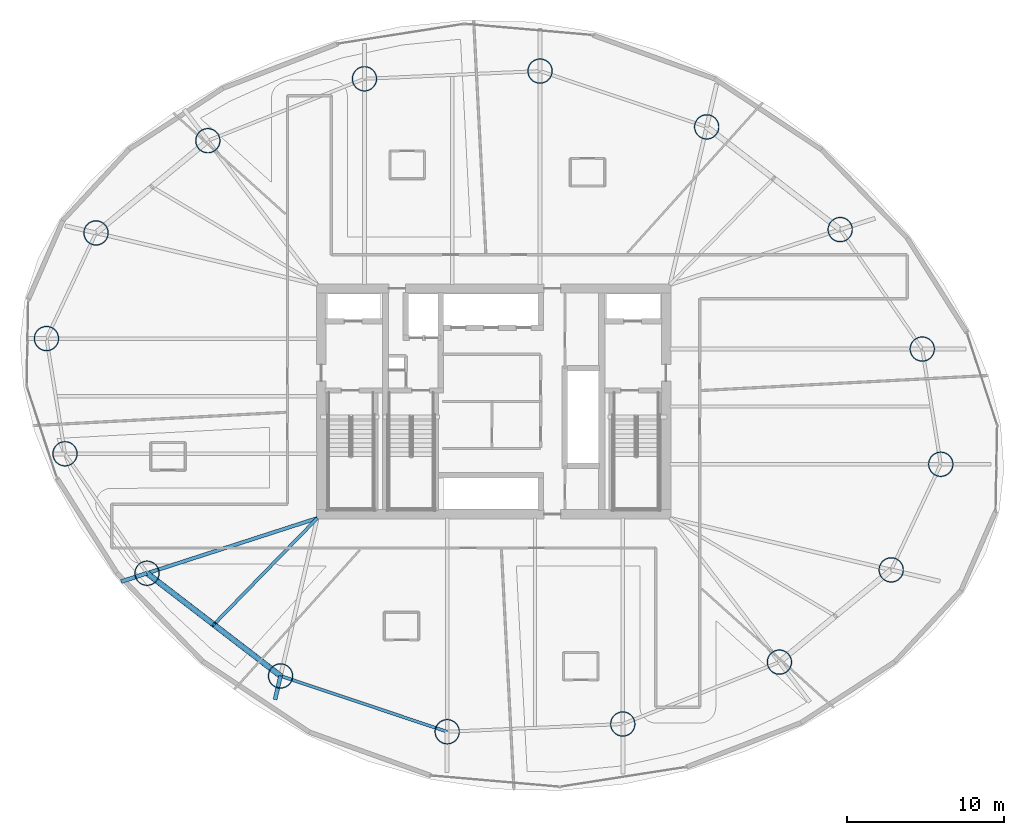
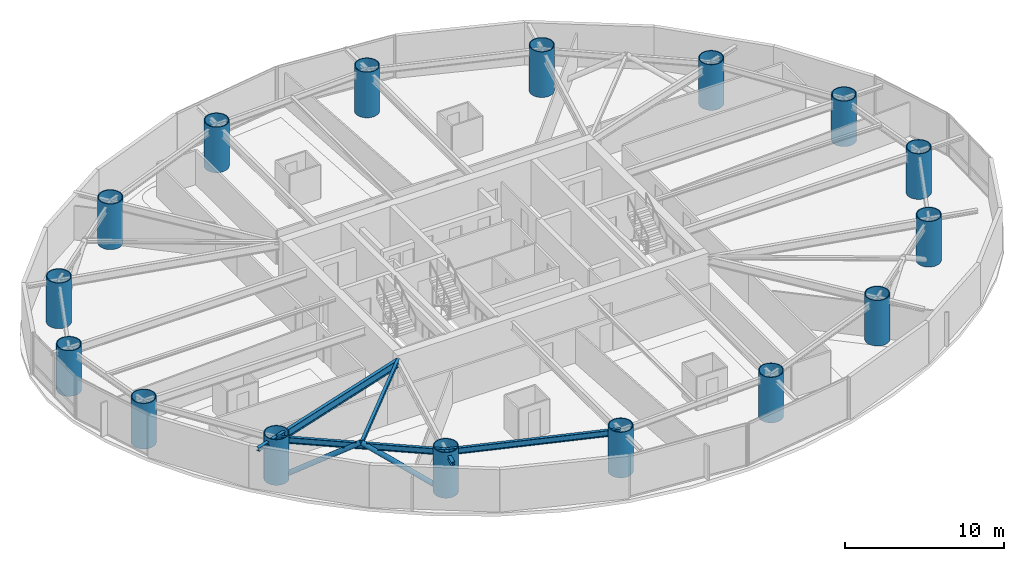
# One storey, part 1 of 24: 16 columns, 6 beams, 2 members.
"""IFC4 building model written with IfcOpenShell, lengths in metres."""

from ifc_helpers import new_model, si_unit, direction, frame, origin, origin_2d, place, context, subcontext, project, spatial, hollow_circle, i_section, extrude, material, material_profile, profile_set, type_object, element, save


model = new_model("IFC4")

# Units and contexts
model_context = context("Model", 3, precision=1e-05, world=origin(), true_north=direction((0.0, 1.0)))
body_context = subcontext(model_context, "Body", "Model", "MODEL_VIEW")
ifc_project = project(units=[si_unit("LENGTHUNIT", "METRE"), si_unit("AREAUNIT", "SQUARE_METRE"), si_unit("VOLUMEUNIT", "CUBIC_METRE"), si_unit("PLANEANGLEUNIT", "RADIAN"), si_unit("MASSUNIT", "GRAM", prefix="KILO")], contexts=[model_context])

# Site, building, storey
site_placement = place(None, origin())
site = spatial("IfcSite", under=ifc_project, at=site_placement, CompositionType="ELEMENT")
building_placement = place(site_placement, origin())
building = spatial("IfcBuilding", under=site, at=building_placement, Name="Bramvorn Convention Spire", CompositionType="ELEMENT")
storey_placement = place(building_placement, frame((0.0, 0.0, 83.39990234375)))
storey = spatial("IfcBuildingStorey", under=building, at=storey_placement, Name="L19", CompositionType="ELEMENT", Elevation=83.39990234375)

# Columns
ifc_material = material(Name="Steel CSA G40.21 Grade 350 (350W)", Category="steel")
ifc_material_profile_1 = material_profile(ifc_material, hollow_circle(Radius=0.800048828125, WallThickness=0.06005859375, at=origin_2d()))
ifc_profile_set_1 = profile_set([ifc_material_profile_1], Name="Steel CSA G40.21 Grade 350 (350W) - CFT1600X60")
column_type = type_object("IfcColumnType", Name="COL-CFT1600X60", PredefinedType="COLUMN", material=ifc_profile_set_1)
for number, where, z_axis, x_axis, name in (
    (1, (66.519775390625, 21.99169921875, 0.0), (0.0, 0.0, 1.0), (1.0, 0.0, 0.0), "L19 composite CFT mega-column MC01"),
    (2, (65.338623046875, 29.340087890625, 0.0), (0.0, 0.0, 1.0), (1.0, 0.0, 0.0), "L19 composite CFT mega-column MC02"),
    (3, (60.105224609375, 36.960205078125, 0.0), (0.0, 0.0, 1.0), (1.0, 0.0, 0.0), "L19 composite CFT mega-column MC03"),
    (4, (51.59033203125, 43.509033203125, 0.0), (0.0, 0.0, 1.0), (1.0, 0.0, 0.0), "L19 composite CFT mega-column MC04"),
    (5, (40.9609375, 47.06884765625, 0.0), (0.0, 0.0, 1.0), (1.0, 0.0, 0.0), "L19 composite CFT mega-column MC05"),
    (6, (29.76220703125, 46.57666015625, 0.0), (0.0, 0.0, 1.0), (1.0, 0.0, 0.0), "L19 composite CFT mega-column MC06"),
    (7, (19.772216796875, 42.628662109375, 0.0), (0.0, 0.0, 1.0), (1.0, 0.0, 0.0), "L19 composite CFT mega-column MC07"),
    (8, (12.64111328125, 36.746337890625, 0.0), (0.0, 0.0, 1.0), (1.0, 0.0, 0.0), "L19 composite CFT mega-column MC08"),
    (9, (9.480224609375, 30.00830078125, 0.0), (0.0, 0.0, 1.0), (1.0, 0.0, 0.0), "L19 composite CFT mega-column MC09"),
    (10, (10.661376953125, 22.659912109375, 0.0), (0.0, 0.0, 1.0), (1.0, 0.0, 0.0), "L19 composite CFT mega-column MC10"),
    (11, (15.894775390625, 15.039794921875, 0.0), (0.0, 0.0, 1.0), (1.0, 0.0, 0.0), "L19 composite CFT mega-column MC11"),
    (12, (24.40966796875, 8.490966796875, 0.0), (0.0, 0.0, 1.0), (1.0, 0.0, 0.0), "L19 composite CFT mega-column MC12"),
    (13, (35.0390625, 4.93115234375, 0.0), (0.0, 0.0, 1.0), (1.0, 0.0, 0.0), "L19 composite CFT mega-column MC13"),
    (14, (46.23779296875, 5.42333984375, 0.0), (0.0, 0.0, 1.0), (1.0, 0.0, 0.0), "L19 composite CFT mega-column MC14"),
    (15, (56.227783203125, 9.371337890625, 0.0), (0.0, 0.0, 1.0), (1.0, 0.0, 0.0), "L19 composite CFT mega-column MC15"),
    (16, (63.35888671875, 15.253662109375, 0.0), (0.0, 0.0, 1.0), (1.0, 0.0, 0.0), "L19 composite CFT mega-column MC16"),
):
    element("IfcColumn", number, at=place(storey_placement, frame(where, z_axis=z_axis, x_axis=x_axis)), inside=storey, type_object=column_type, Name=name, PredefinedType="COLUMN", context=body_context, shape_type="SweptSolid", body=[
        extrude(hollow_circle(Radius=0.800048828125, WallThickness=0.06005859375, at=origin_2d()), origin(), (0.0, 0.0, 1.0), 3.5),
    ])

# Beams
ifc_material_profile_2 = material_profile(ifc_material, i_section(OverallWidth=0.201904296875, OverallDepth=0.2470703125, WebThickness=0.00732421875, FlangeThickness=0.010986328125, FilletRadius=0.011962890625, at=origin_2d()))
ifc_profile_set_2 = profile_set([ifc_material_profile_2], Name="Steel CSA G40.21 Grade 350 (350W) - W250X49")
beam_type_1 = type_object("IfcBeamType", Name="BM-W250X49", PredefinedType="JOIST", material=ifc_profile_set_2)
beam_1_placement = place(storey_placement, frame((26.75, 18.550048828125, 3.126708984375), z_axis=(-0.697157225069, -0.716918268378, 0.0), x_axis=(0.716918268378, -0.697157225069, 0.0)))
element("IfcBeam", 17, at=beam_1_placement, inside=storey, type_object=beam_type_1, Name="L19 composite floor joist 11", PredefinedType="JOIST", context=body_context, shape_type="SweptSolid", body=[
    extrude(i_section(OverallWidth=0.201904296875, OverallDepth=0.2470703125, WebThickness=0.00732421875, FlangeThickness=0.010986328125, FilletRadius=0.011962890625, at=origin_2d()), origin(), (0.0, 0.0, 1.0), 9.463623046875),
])
ifc_material_profile_3 = material_profile(ifc_material, i_section(OverallWidth=0.25390625, OverallDepth=0.2529296875, WebThickness=0.008544921875, FlangeThickness=0.01416015625, FilletRadius=0.011962890625, at=origin_2d()))
ifc_profile_set_3 = profile_set([ifc_material_profile_3], Name="Steel CSA G40.21 Grade 350 (350W) - W250X73")
beam_type_2 = type_object("IfcBeamType", Name="BM-W250X73", PredefinedType="BEAM", material=ifc_profile_set_3)
beam_2_placement = place(storey_placement, frame((15.894775390625, 15.039794921875, 3.12353515625), z_axis=(-0.951477118356, -0.307719504168, 0.0), x_axis=(0.307719504168, -0.951477118356, 0.0)))
element("IfcBeam", 18, at=beam_2_placement, inside=storey, type_object=beam_type_2, Name="L19 slab-edge cantilever tip beam MC11", PredefinedType="BEAM", context=body_context, shape_type="SweptSolid", body=[
    extrude(i_section(OverallWidth=0.25390625, OverallDepth=0.2529296875, WebThickness=0.008544921875, FlangeThickness=0.01416015625, FilletRadius=0.011962890625, at=origin_2d()), origin(), (0.0, 0.0, 1.0), 1.741455078125),
])
beam_3_placement = place(storey_placement, frame((24.40966796875, 8.490966796875, 3.12353515625), z_axis=(-0.226576153974, -0.973993452981, 0.0), x_axis=(0.973993452981, -0.226576153974, 0.0)))
element("IfcBeam", 19, at=beam_3_placement, inside=storey, type_object=beam_type_2, Name="L19 slab-edge cantilever tip beam MC12", PredefinedType="BEAM", context=body_context, shape_type="SweptSolid", body=[
    extrude(i_section(OverallWidth=0.25390625, OverallDepth=0.2529296875, WebThickness=0.008544921875, FlangeThickness=0.01416015625, FilletRadius=0.011962890625, at=origin_2d()), origin(), (0.0, 0.0, 1.0), 1.54736328125),
])
ifc_material_profile_4 = material_profile(ifc_material, i_section(OverallWidth=0.194091796875, OverallDepth=0.468994140625, WebThickness=0.0126953125, FlangeThickness=0.0205078125, FilletRadius=0.01806640625, at=origin_2d()))
ifc_profile_set_4 = profile_set([ifc_material_profile_4], Name="Steel CSA G40.21 Grade 350 (350W) - W460X106")
beam_type_3 = type_object("IfcBeamType", Name="BM-W460X106", PredefinedType="SPANDREL", material=ifc_profile_set_4)
beam_4_placement = place(storey_placement, frame((15.894775390625, 15.039794921875, 3.015625), z_axis=(0.792672990445, -0.609647053809, 0.0), x_axis=(0.609647053809, 0.792672990445, 0.0)))
element("IfcBeam", 20, at=beam_4_placement, inside=storey, type_object=beam_type_3, Name="L19 mega-column ring beam 11", PredefinedType="SPANDREL", context=body_context, shape_type="SweptSolid", body=[
    extrude(i_section(OverallWidth=0.194091796875, OverallDepth=0.468994140625, WebThickness=0.0126953125, FlangeThickness=0.0205078125, FilletRadius=0.01806640625, at=origin_2d()), origin(), (0.0, 0.0, 1.0), 10.741943359375),
])
beam_5_placement = place(storey_placement, frame((24.40966796875, 8.490966796875, 3.015625), z_axis=(0.948235872727, -0.317566890078, 0.0), x_axis=(0.317566890078, 0.948235872727, 0.0)))
element("IfcBeam", 21, at=beam_5_placement, inside=storey, type_object=beam_type_3, Name="L19 mega-column ring beam 12", PredefinedType="SPANDREL", context=body_context, shape_type="SweptSolid", body=[
    extrude(i_section(OverallWidth=0.194091796875, OverallDepth=0.468994140625, WebThickness=0.0126953125, FlangeThickness=0.0205078125, FilletRadius=0.01806640625, at=origin_2d()), origin(), (0.0, 0.0, 1.0), 11.209716796875),
])
ifc_material_profile_5 = material_profile(ifc_material, i_section(OverallWidth=0.22998046875, OverallDepth=0.616943359375, WebThickness=0.01318359375, FlangeThickness=0.022216796875, FilletRadius=0.02001953125, at=origin_2d()))
ifc_profile_set_5 = profile_set([ifc_material_profile_5], Name="Steel CSA G40.21 Grade 350 (350W) - W610X140")
beam_type_4 = type_object("IfcBeamType", Name="BM-W610X140", PredefinedType="BEAM", material=ifc_profile_set_5)
beam_6_placement = place(storey_placement, frame((26.75, 18.550048828125, 2.941650390625), z_axis=(-0.951488933275, -0.307682969719, 0.0), x_axis=(0.307682969719, -0.951488933275, 0.0)))
element("IfcBeam", 22, at=beam_6_placement, inside=storey, type_object=beam_type_4, Name="L19 radial floor girder MC11", PredefinedType="BEAM", context=body_context, shape_type="SweptSolid", body=[
    extrude(i_section(OverallWidth=0.22998046875, OverallDepth=0.616943359375, WebThickness=0.01318359375, FlangeThickness=0.022216796875, FilletRadius=0.02001953125, at=origin_2d()), origin(), (0.0, 0.0, 1.0), 11.40869140625),
])

# Members
ifc_material_profile_6 = material_profile(ifc_material, hollow_circle(Radius=0.177734375, WallThickness=0.015869140625, at=origin_2d()))
ifc_profile_set_6 = profile_set([ifc_material_profile_6], Name="Steel CSA G40.21 Grade 350 (350W) - CHS356X16")
member_type = type_object("IfcMemberType", Name="MBR-CHS356X16", PredefinedType="BRACE", material=ifc_profile_set_6)
member_1_placement = place(storey_placement, frame((15.894775390625, 15.039794921875, 0.0), z_axis=(0.67819086212, -0.521583568023, 0.517694635962), x_axis=(0.609636070784, 0.7926814374, 0.0)))
element("IfcMember", 23, at=member_1_placement, inside=storey, type_object=member_type, Name="L19 perimeter Gothic lancet brace 11A", PredefinedType="BRACE", context=body_context, shape_type="SweptSolid", body=[
    extrude(hollow_circle(Radius=0.177734375, WallThickness=0.015869140625, at=origin_2d()), origin(), (0.0, 0.0, 1.0), 6.27783203125),
])
member_2_placement = place(storey_placement, frame((24.40966796875, 8.490966796875, 0.0), z_axis=(-0.678169858834, 0.521597324617, 0.517708289987), x_axis=(-0.609658037113, -0.792664543034, 0.0)))
element("IfcMember", 24, at=member_2_placement, inside=storey, type_object=member_type, Name="L19 perimeter Gothic lancet brace 11B", PredefinedType="BRACE", context=body_context, shape_type="SweptSolid", body=[
    extrude(hollow_circle(Radius=0.177734375, WallThickness=0.015869140625, at=origin_2d()), origin(), (0.0, 0.0, 1.0), 6.277587890625),
])

save(model, "model.ifc")
